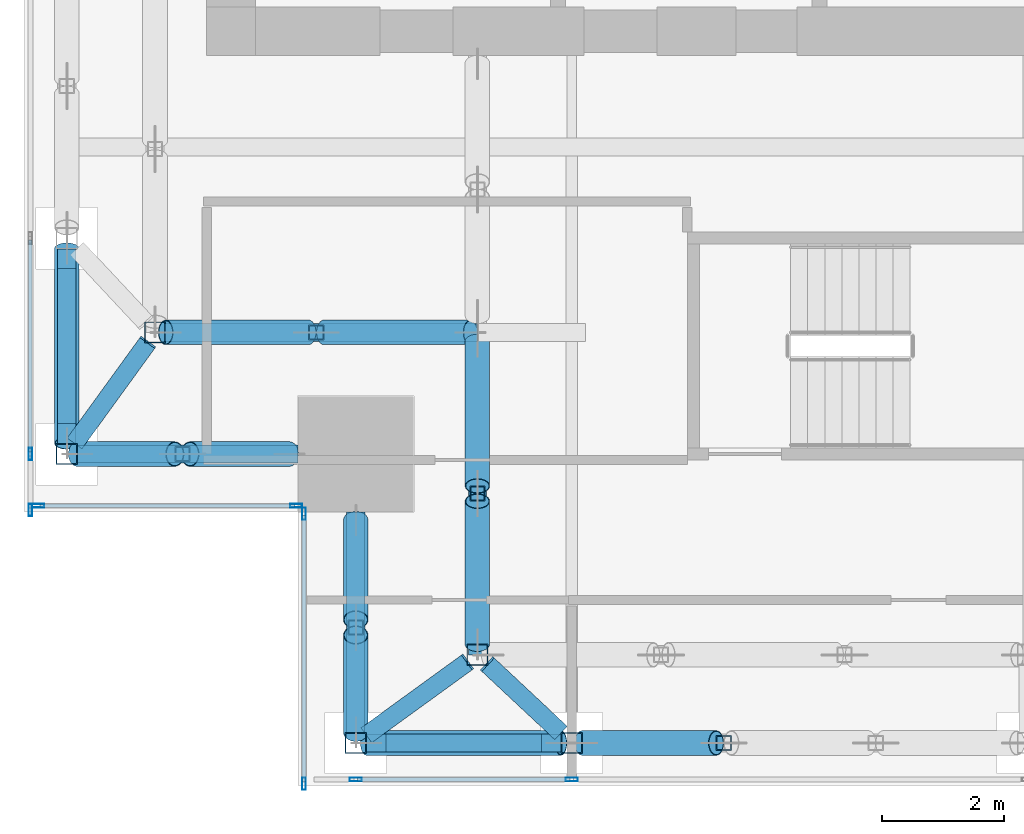
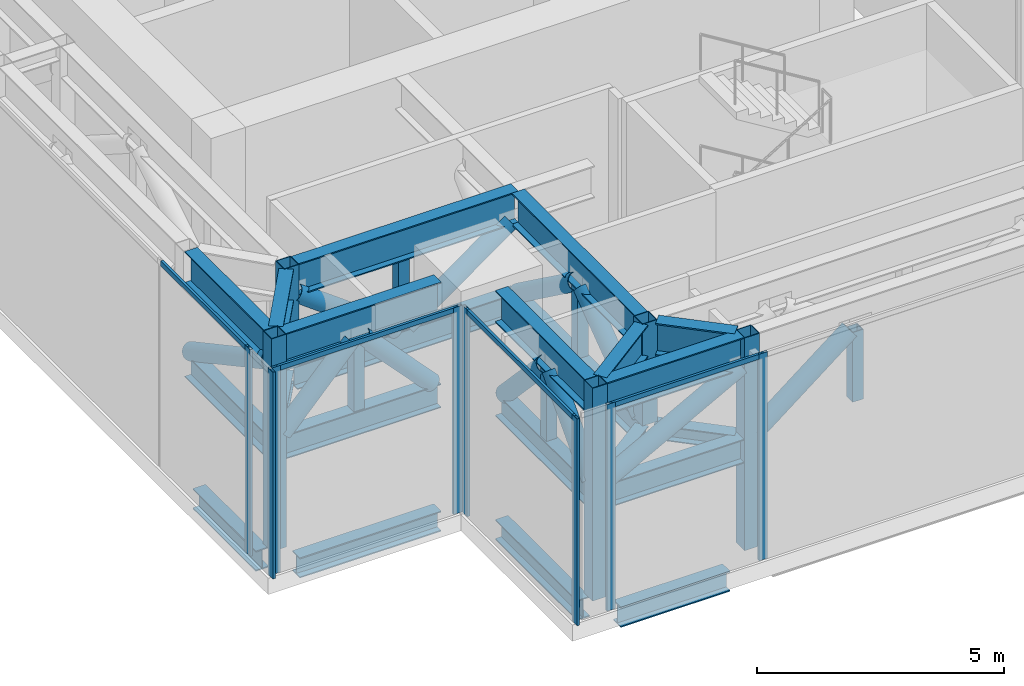
# One storey, part 2 of 36: 45 members, 10 beams, 4 elements without a shape of their own.
"""IFC4 building model written with IfcOpenShell, lengths in metres."""

from ifc_helpers import new_model, si_unit, direction, frame, origin, origin_2d, place, context, subcontext, project, spatial, hollow_rectangle, hollow_circle, i_section, extrude, source, transform, mapped, material, material_profile, profile_set, type_object, element, aggregate, save


model = new_model("IFC4")

# Units and contexts
model_context = context("Model", 3, precision=1e-05, world=origin(), true_north=direction((0.0, 1.0)))
body_context = subcontext(model_context, "Body", "Model", "MODEL_VIEW")
ifc_project = project(units=[si_unit("LENGTHUNIT", "METRE"), si_unit("AREAUNIT", "SQUARE_METRE"), si_unit("VOLUMEUNIT", "CUBIC_METRE"), si_unit("PLANEANGLEUNIT", "RADIAN"), si_unit("MASSUNIT", "GRAM", prefix="KILO")], contexts=[model_context])

# Site, building, storey
site_placement = place(None, origin())
site = spatial("IfcSite", under=ifc_project, at=site_placement, CompositionType="ELEMENT")
building_placement = place(site_placement, origin())
building = spatial("IfcBuilding", under=site, at=building_placement, Name="Khomas Fold Tower", CompositionType="ELEMENT")
storey_placement = place(building_placement, frame((0.0, 0.0, 216.699951171875)))
storey = spatial("IfcBuildingStorey", under=building, at=storey_placement, Name="L48", CompositionType="ELEMENT", Elevation=216.699951171875)

# Beams
ifc_material_1 = material(Name="Steel S355", Category="steel")
ifc_material_profile_1 = material_profile(ifc_material_1, i_section(OverallWidth=0.300048828125, OverallDepth=0.5, WebThickness=0.014404296875, FlangeThickness=0.028076171875, at=origin_2d()), Name="HE 500 B")
ifc_profile_set_1 = profile_set([ifc_material_profile_1], Name="Steel S355")
beam_type_1 = type_object("IfcBeamType", Name="HE 500 B spandrel SB3", PredefinedType="SPANDREL", material=ifc_profile_set_1)
shared_shape_1 = source(origin(), body_context, "Body", "SweptSolid", [
    extrude(i_section(OverallWidth=0.300048828125, OverallDepth=0.5, WebThickness=0.014404296875, FlangeThickness=0.028076171875, at=origin_2d()), origin(), (0.0, 0.0, 1.0), 2.550048828125),
])
for number, where, z_axis, x_axis, name in (
    (1, (8.949951171875, 3.699951171875, -0.64990234375), (1.0, 0.0, 0.0), (0.0, 1.0, 0.0), "SB3"),
    (2, (3.699951171875, 8.949951171875, -0.64990234375), (0.0, 1.0, 0.0), (-1.0, 0.0, 0.0), "SB3"),
):
    element("IfcBeam", number, at=place(storey_placement, frame(where, z_axis=z_axis, x_axis=x_axis)), inside=storey, type_object=beam_type_1, Name=name, PredefinedType="SPANDREL", context=body_context, shape_type="MappedRepresentation", body=[
        mapped(shared_shape_1, transform((0.0, 0.0, 0.0))),
    ])
shared_shape_2 = source(origin(), body_context, "Body", "SweptSolid", [
    extrude(i_section(OverallWidth=0.300048828125, OverallDepth=0.5, WebThickness=0.014404296875, FlangeThickness=0.028076171875, at=origin_2d()), origin(), (0.0, 0.0, 1.0), 3.300048828125),
])
for number, where, z_axis, x_axis, name in (
    (3, (4.199951171875, 8.449951171875, -0.64990234375), (1.0, 0.0, 0.0), (0.0, 1.0, 0.0), "SB3"),
    (4, (8.449951171875, 4.199951171875, -0.64990234375), (0.0, 1.0, 0.0), (-1.0, 0.0, 0.0), "SB3"),
):
    element("IfcBeam", number, at=place(storey_placement, frame(where, z_axis=z_axis, x_axis=x_axis)), inside=storey, type_object=beam_type_1, Name=name, PredefinedType="SPANDREL", context=body_context, shape_type="MappedRepresentation", body=[
        mapped(shared_shape_2, transform((0.0, 0.0, 0.0))),
    ])

# Members
ifc_material_2 = material(Name="Steel S355", Category="steel")
ifc_material_profile_2 = material_profile(ifc_material_2, i_section(OverallWidth=0.300048828125, OverallDepth=0.7900390625, WebThickness=0.014892578125, FlangeThickness=0.028076171875, at=origin_2d()), Name="HE 800 A")
ifc_profile_set_2 = profile_set([ifc_material_profile_2], Name="Steel S355")
member_type_1 = type_object("IfcMemberType", Name="BELT TRUSS 3 TOP CHORD SHORT HE 800 A", PredefinedType="CHORD", material=ifc_profile_set_2)
shared_shape_3 = source(origin(), body_context, "Body", "SweptSolid", [
    extrude(i_section(OverallWidth=0.300048828125, OverallDepth=0.7900390625, WebThickness=0.014892578125, FlangeThickness=0.028076171875, at=origin_2d()), origin(), (0.0, 0.0, 1.0), 3.199951171875),
])
for number, where, z_axis, x_axis, name in (
    (5, (8.625, 3.699951171875, 4.85498046875), (1.0, 0.0, 0.0), (0.0, 1.0, 0.0), "BT3-CTS"),
    (6, (3.699951171875, 11.824951171875, 4.85498046875), (0.0, -1.0, 0.0), (1.0, 0.0, 0.0), "BT3-CTS"),
):
    element("IfcMember", number, at=place(storey_placement, frame(where, z_axis=z_axis, x_axis=x_axis)), inside=storey, type_object=member_type_1, Name=name, PredefinedType="CHORD", context=body_context, shape_type="MappedRepresentation", body=[
        mapped(shared_shape_3, transform((0.0, 0.0, 0.0))),
    ])
ifc_material_3 = material(Name="Steel S355", Category="steel")
ifc_material_profile_3 = material_profile(ifc_material_3, i_section(OverallWidth=0.300048828125, OverallDepth=0.590087890625, WebThickness=0.012939453125, FlangeThickness=0.02490234375, at=origin_2d()), Name="HE 600 A")
ifc_profile_set_3 = profile_set([ifc_material_profile_3], Name="Steel S355")
member_type_2 = type_object("IfcMemberType", Name="BELT TRUSS 3 BOTTOM CHORD SHORT HE 600 A", PredefinedType="CHORD", material=ifc_profile_set_3)
shared_shape_4 = source(origin(), body_context, "Body", "SweptSolid", [
    extrude(i_section(OverallWidth=0.300048828125, OverallDepth=0.590087890625, WebThickness=0.012939453125, FlangeThickness=0.02490234375, at=origin_2d()), origin(), (0.0, 0.0, 1.0), 3.199951171875),
])
for number, where, z_axis, x_axis, name in (
    (7, (8.625, 3.699951171875, 2.445068359375), (1.0, 0.0, 0.0), (0.0, 1.0, 0.0), "BT3-CBS"),
    (8, (3.699951171875, 11.824951171875, 2.445068359375), (0.0, -1.0, 0.0), (1.0, 0.0, 0.0), "BT3-CBS"),
):
    element("IfcMember", number, at=place(storey_placement, frame(where, z_axis=z_axis, x_axis=x_axis)), inside=storey, type_object=member_type_2, Name=name, PredefinedType="CHORD", context=body_context, shape_type="MappedRepresentation", body=[
        mapped(shared_shape_4, transform((0.0, 0.0, 0.0))),
    ])
ifc_material_4 = material(Name="Steel S355", Category="steel")
ifc_material_profile_4 = material_profile(ifc_material_4, hollow_circle(Radius=0.203125, WallThickness=0.012451171875, at=origin_2d()), Name="CHS 406.4x12.5")
ifc_profile_set_4 = profile_set([ifc_material_profile_4], Name="Steel S355")
member_type_3 = type_object("IfcMemberType", Name="BELT TRUSS 3 DIAGONAL LONG CHS 406.4x12.5", PredefinedType="BRACE", material=ifc_profile_set_4)
shared_shape_5 = source(origin(), body_context, "Body", "SweptSolid", [
    extrude(hollow_circle(Radius=0.203125, WallThickness=0.012451171875, at=origin_2d()), origin(), (0.0, 0.0, 1.0), 3.6376953125),
])
for number, where, z_axis, x_axis, name in (
    (9, (8.625, 3.699951171875, 2.735107421875), (0.879674642469, 0.0, 0.475575991191), (0.0, 1.0, 0.0), "BT3-DL"),
    (10, (3.699951171875, 11.824951171875, 2.735107421875), (0.0, -0.879674642469, 0.475575991191), (1.0, 0.0, 0.0), "BT3-DL"),
):
    element("IfcMember", number, at=place(storey_placement, frame(where, z_axis=z_axis, x_axis=x_axis)), inside=storey, type_object=member_type_3, Name=name, PredefinedType="BRACE", context=body_context, shape_type="MappedRepresentation", body=[
        mapped(shared_shape_5, transform((0.0, 0.0, 0.0))),
    ])
ifc_material_5 = material(Name="Steel S355", Category="steel")
ifc_material_profile_5 = material_profile(ifc_material_5, hollow_circle(Radius=0.203125, WallThickness=0.012451171875, at=origin_2d()), Name="CHS 406.4x12.5")
ifc_profile_set_5 = profile_set([ifc_material_profile_5], Name="Steel S355")
member_type_4 = type_object("IfcMemberType", Name="BELT TRUSS 3 DIAGONAL CHS 406.4x12.5", PredefinedType="BRACE", material=ifc_profile_set_5)
shared_shape_6 = source(origin(), body_context, "Body", "SweptSolid", [
    extrude(hollow_circle(Radius=0.203125, WallThickness=0.012451171875, at=origin_2d()), origin(), (0.0, 0.0, 1.0), 2.798583984375),
])
member_1_placement = place(storey_placement, frame((12.175048828125, 3.699951171875, 2.735107421875), z_axis=(0.786067028411, 0.0, 0.618141267709), x_axis=(0.0, 1.0, 0.0)))
element("IfcMember", 11, at=member_1_placement, inside=storey, type_object=member_type_4, Name="BT3-D", PredefinedType="BRACE", context=body_context, shape_type="MappedRepresentation", body=[
    mapped(shared_shape_6, transform((0.0, 0.0, 0.0))),
])
ifc_material_6 = material(Name="Steel S355", Category="steel")
ifc_material_profile_6 = material_profile(ifc_material_6, hollow_rectangle(XDim=0.25, YDim=0.25, WallThickness=0.01611328125, at=origin_2d()), Name="SHS 250x250x16")
ifc_profile_set_6 = profile_set([ifc_material_profile_6], Name="Steel S355")
member_type_5 = type_object("IfcMemberType", Name="BELT TRUSS 3 MID POST SHS 250x250x16", PredefinedType="POST", material=ifc_profile_set_6)
shared_shape_7 = source(origin(), body_context, "Body", "SweptSolid", [
    extrude(hollow_rectangle(XDim=0.25, YDim=0.25, WallThickness=0.01611328125, at=origin_2d()), origin(), (0.0, 0.0, 1.0), 1.719970703125),
])
for number, where, z_axis, x_axis, name in (
    (12, (14.5, 3.699951171875, 2.739990234375), (0.0, 0.0, 1.0), (1.0, 0.0, 0.0), "BT3-M"),
    (13, (5.60009765625, 8.449951171875, 2.739990234375), (0.0, 0.0, 1.0), (1.0, 0.0, 0.0), "BT3-M"),
    (14, (8.449951171875, 5.60009765625, 2.739990234375), (0.0, 0.0, 1.0), (1.0, 0.0, 0.0), "BT3-M"),
    (15, (7.800048828125, 10.449951171875, 2.739990234375), (0.0, 0.0, 1.0), (1.0, 0.0, 0.0), "BT3-M"),
    (16, (10.449951171875, 7.800048828125, 2.739990234375), (0.0, 0.0, 1.0), (1.0, 0.0, 0.0), "BT3-M"),
):
    element("IfcMember", number, at=place(storey_placement, frame(where, z_axis=z_axis, x_axis=x_axis)), inside=storey, type_object=member_type_5, Name=name, PredefinedType="POST", context=body_context, shape_type="MappedRepresentation", body=[
        mapped(shared_shape_7, transform((0.0, 0.0, 0.0))),
    ])
shared_shape_8 = source(origin(), body_context, "Body", "SweptSolid", [
    extrude(i_section(OverallWidth=0.300048828125, OverallDepth=0.7900390625, WebThickness=0.014892578125, FlangeThickness=0.028076171875, at=origin_2d()), origin(), (0.0, 0.0, 1.0), 3.625),
])
for number, where, z_axis, x_axis, name in (
    (17, (3.875, 8.449951171875, 4.85498046875), (1.0, 0.0, 0.0), (0.0, 1.0, 0.0), "BT3-CTS"),
    (18, (8.449951171875, 3.875, 4.85498046875), (0.0, 1.0, 0.0), (-1.0, 0.0, 0.0), "BT3-CTS"),
):
    element("IfcMember", number, at=place(storey_placement, frame(where, z_axis=z_axis, x_axis=x_axis)), inside=storey, type_object=member_type_1, Name=name, PredefinedType="CHORD", context=body_context, shape_type="MappedRepresentation", body=[
        mapped(shared_shape_8, transform((0.0, 0.0, 0.0))),
    ])
shared_shape_9 = source(origin(), body_context, "Body", "SweptSolid", [
    extrude(i_section(OverallWidth=0.300048828125, OverallDepth=0.590087890625, WebThickness=0.012939453125, FlangeThickness=0.02490234375, at=origin_2d()), origin(), (0.0, 0.0, 1.0), 3.625),
])
for number, where, z_axis, x_axis, name in (
    (19, (3.875, 8.449951171875, 2.445068359375), (1.0, 0.0, 0.0), (0.0, 1.0, 0.0), "BT3-CBS"),
    (20, (8.449951171875, 3.875, 2.445068359375), (0.0, 1.0, 0.0), (-1.0, 0.0, 0.0), "BT3-CBS"),
):
    element("IfcMember", number, at=place(storey_placement, frame(where, z_axis=z_axis, x_axis=x_axis)), inside=storey, type_object=member_type_2, Name=name, PredefinedType="CHORD", context=body_context, shape_type="MappedRepresentation", body=[
        mapped(shared_shape_9, transform((0.0, 0.0, 0.0))),
    ])
shared_shape_10 = source(origin(), body_context, "Body", "SweptSolid", [
    extrude(hollow_circle(Radius=0.203125, WallThickness=0.012451171875, at=origin_2d()), origin(), (0.0, 0.0, 1.0), 2.3564453125),
])
for number, where, z_axis, x_axis, name in (
    (21, (3.875, 8.449951171875, 2.735107421875), (0.679011273625, 0.0, 0.734127843288), (0.0, 1.0, 0.0), "BT3-D"),
    (22, (8.449951171875, 3.875, 2.735107421875), (0.0, 0.679011273625, 0.734127843288), (-1.0, 0.0, 0.0), "BT3-D"),
):
    element("IfcMember", number, at=place(storey_placement, frame(where, z_axis=z_axis, x_axis=x_axis)), inside=storey, type_object=member_type_4, Name=name, PredefinedType="BRACE", context=body_context, shape_type="MappedRepresentation", body=[
        mapped(shared_shape_10, transform((0.0, 0.0, 0.0))),
    ])
shared_shape_11 = source(origin(), body_context, "Body", "SweptSolid", [
    extrude(hollow_circle(Radius=0.203125, WallThickness=0.012451171875, at=origin_2d()), origin(), (0.0, 0.0, 1.0), 2.37939453125),
])
for number, where, z_axis, x_axis, name in (
    (23, (5.72509765625, 8.449951171875, 4.465087890625), (0.686551218431, 0.0, -0.727081442804), (0.0, 1.0, 0.0), "BT3-D"),
    (24, (8.449951171875, 5.72509765625, 4.465087890625), (0.0, 0.686551218431, -0.727081442804), (-1.0, 0.0, 0.0), "BT3-D"),
):
    element("IfcMember", number, at=place(storey_placement, frame(where, z_axis=z_axis, x_axis=x_axis)), inside=storey, type_object=member_type_4, Name=name, PredefinedType="BRACE", context=body_context, shape_type="MappedRepresentation", body=[
        mapped(shared_shape_11, transform((0.0, 0.0, 0.0))),
    ])
ifc_material_7 = material(Name="Steel S355", Category="steel")
ifc_material_profile_7 = material_profile(ifc_material_7, i_section(OverallWidth=0.300048828125, OverallDepth=0.7900390625, WebThickness=0.014892578125, FlangeThickness=0.028076171875, at=origin_2d()), Name="HE 800 A")
ifc_profile_set_7 = profile_set([ifc_material_profile_7], Name="Steel S355")
member_type_6 = type_object("IfcMemberType", Name="BELT TRUSS 3 TOP CHORD HE 800 A", PredefinedType="CHORD", material=ifc_profile_set_7)
shared_shape_12 = source(origin(), body_context, "Body", "SweptSolid", [
    extrude(i_section(OverallWidth=0.300048828125, OverallDepth=0.7900390625, WebThickness=0.014892578125, FlangeThickness=0.028076171875, at=origin_2d()), origin(), (0.0, 0.0, 1.0), 5.125),
])
member_2_placement = place(storey_placement, frame((5.324951171875, 10.449951171875, 4.85498046875), z_axis=(1.0, 0.0, 0.0), x_axis=(0.0, 1.0, 0.0)))
element("IfcMember", 25, at=member_2_placement, inside=storey, type_object=member_type_6, Name="BT3-CT", PredefinedType="CHORD", context=body_context, shape_type="MappedRepresentation", body=[
    mapped(shared_shape_12, transform((0.0, 0.0, 0.0))),
])
shared_shape_13 = source(origin(), body_context, "Body", "SweptSolid", [
    extrude(hollow_circle(Radius=0.203125, WallThickness=0.012451171875, at=origin_2d()), origin(), (0.0, 0.0, 1.0), 2.918212890625),
])
for number, where, z_axis, x_axis, name in (
    (26, (5.324951171875, 10.449951171875, 4.465087890625), (0.805329117391, 0.0, -0.592827978998), (0.0, 1.0, 0.0), "BT3-D"),
    (27, (10.449951171875, 5.324951171875, 2.735107421875), (0.0, 0.805329117391, 0.592827978998), (-1.0, 0.0, 0.0), "BT3-D"),
):
    element("IfcMember", number, at=place(storey_placement, frame(where, z_axis=z_axis, x_axis=x_axis)), inside=storey, type_object=member_type_4, Name=name, PredefinedType="BRACE", context=body_context, shape_type="MappedRepresentation", body=[
        mapped(shared_shape_13, transform((0.0, 0.0, 0.0))),
    ])
shared_shape_14 = source(origin(), body_context, "Body", "SweptSolid", [
    extrude(hollow_circle(Radius=0.203125, WallThickness=0.012451171875, at=origin_2d()), origin(), (0.0, 0.0, 1.0), 2.967041015625),
])
member_3_placement = place(storey_placement, frame((7.925048828125, 10.449951171875, 2.735107421875), z_axis=(0.812441658895, 0.0, 0.583042494929), x_axis=(0.0, 1.0, 0.0)))
element("IfcMember", 28, at=member_3_placement, inside=storey, type_object=member_type_4, Name="BT3-D", PredefinedType="BRACE", context=body_context, shape_type="MappedRepresentation", body=[
    mapped(shared_shape_14, transform((0.0, 0.0, 0.0))),
])
shared_shape_15 = source(origin(), body_context, "Body", "SweptSolid", [
    extrude(i_section(OverallWidth=0.300048828125, OverallDepth=0.7900390625, WebThickness=0.014892578125, FlangeThickness=0.028076171875, at=origin_2d()), origin(), (0.0, 0.0, 1.0), 4.97509765625),
])
member_4_placement = place(storey_placement, frame((10.449951171875, 5.324951171875, 4.85498046875), z_axis=(0.0, 1.0, 0.0), x_axis=(-1.0, 0.0, 0.0)))
element("IfcMember", 29, at=member_4_placement, inside=storey, type_object=member_type_6, Name="BT3-CT", PredefinedType="CHORD", context=body_context, shape_type="MappedRepresentation", body=[
    mapped(shared_shape_15, transform((0.0, 0.0, 0.0))),
])
shared_shape_16 = source(origin(), body_context, "Body", "SweptSolid", [
    extrude(hollow_circle(Radius=0.203125, WallThickness=0.012451171875, at=origin_2d()), origin(), (0.0, 0.0, 1.0), 2.938232421875),
])
member_5_placement = place(storey_placement, frame((10.449951171875, 7.925048828125, 4.465087890625), z_axis=(0.0, 0.808297504899, -0.588774272174), x_axis=(-1.0, 0.0, 0.0)))
element("IfcMember", 30, at=member_5_placement, inside=storey, type_object=member_type_4, Name="BT3-D", PredefinedType="BRACE", context=body_context, shape_type="MappedRepresentation", body=[
    mapped(shared_shape_16, transform((0.0, 0.0, 0.0))),
])
ifc_material_8 = material(Name="Steel S355", Category="steel")
ifc_material_profile_8 = material_profile(ifc_material_8, i_section(OverallWidth=0.300048828125, OverallDepth=0.590087890625, WebThickness=0.012939453125, FlangeThickness=0.02490234375, at=origin_2d()), Name="HE 600 A")
ifc_profile_set_8 = profile_set([ifc_material_profile_8], Name="Steel S355")
member_type_7 = type_object("IfcMemberType", Name="BELT TRUSS 3 BOTTOM CHORD HE 600 A", PredefinedType="CHORD", material=ifc_profile_set_8)
shared_shape_17 = source(origin(), body_context, "Body", "SweptSolid", [
    extrude(i_section(OverallWidth=0.300048828125, OverallDepth=0.590087890625, WebThickness=0.012939453125, FlangeThickness=0.02490234375, at=origin_2d()), origin(), (0.0, 0.0, 1.0), 5.14990234375),
])
member_6_placement = place(storey_placement, frame((5.300048828125, 10.449951171875, 2.445068359375), z_axis=(1.0, 0.0, 0.0), x_axis=(0.0, 1.0, 0.0)))
element("IfcMember", 31, at=member_6_placement, inside=storey, type_object=member_type_7, Name="BT3-CB", PredefinedType="CHORD", context=body_context, shape_type="MappedRepresentation", body=[
    mapped(shared_shape_17, transform((0.0, 0.0, 0.0))),
])
shared_shape_18 = source(origin(), body_context, "Body", "SweptSolid", [
    extrude(i_section(OverallWidth=0.300048828125, OverallDepth=0.590087890625, WebThickness=0.012939453125, FlangeThickness=0.02490234375, at=origin_2d()), origin(), (0.0, 0.0, 1.0), 5.150146484375),
])
member_7_placement = place(storey_placement, frame((10.449951171875, 5.14990234375, 2.445068359375), z_axis=(0.0, 1.0, 0.0), x_axis=(-1.0, 0.0, 0.0)))
element("IfcMember", 32, at=member_7_placement, inside=storey, type_object=member_type_7, Name="BT3-CB", PredefinedType="CHORD", context=body_context, shape_type="MappedRepresentation", body=[
    mapped(shared_shape_18, transform((0.0, 0.0, 0.0))),
])
ifc_material_9 = material(Name="Steel S355", Category="steel")
ifc_material_profile_9 = material_profile(ifc_material_9, hollow_rectangle(XDim=0.35009765625, YDim=0.35009765625, WallThickness=0.01611328125, at=origin_2d()), Name="SHS 350x350x16")
ifc_profile_set_9 = profile_set([ifc_material_profile_9], Name="Steel S355")
member_type_8 = type_object("IfcMemberType", Name="BELT TRUSS 3 COLUMN POST SHS 350x350x16", PredefinedType="POST", material=ifc_profile_set_9)
shared_shape_19 = source(origin(), body_context, "Body", "SweptSolid", [
    extrude(hollow_rectangle(XDim=0.35009765625, YDim=0.35009765625, WallThickness=0.01611328125, at=origin_2d()), origin(), (0.0, 0.0, 1.0), 5.25),
])
for number, where, z_axis, x_axis, name in (
    (33, (8.449951171875, 3.699951171875, 0.0), (0.0, 0.0, 1.0), (1.0, 0.0, 0.0), "BT3-P"),
    (34, (12.0, 3.699951171875, 0.0), (0.0, 0.0, 1.0), (1.0, 0.0, 0.0), "BT3-P"),
    (35, (3.699951171875, 8.449951171875, 0.0), (0.0, 0.0, 1.0), (1.0, 0.0, 0.0), "BT3-P"),
):
    element("IfcMember", number, at=place(storey_placement, frame(where, z_axis=z_axis, x_axis=x_axis)), inside=storey, type_object=member_type_8, Name=name, PredefinedType="POST", context=body_context, shape_type="MappedRepresentation", body=[
        mapped(shared_shape_19, transform((0.0, 0.0, 0.0))),
    ])
ifc_material_10 = material(Name="Steel S355", Category="steel")
ifc_material_profile_10 = material_profile(ifc_material_10, hollow_rectangle(XDim=0.35009765625, YDim=0.35009765625, WallThickness=0.01611328125, at=origin_2d()), Name="SHS 350x350x16")
ifc_profile_set_10 = profile_set([ifc_material_profile_10], Name="Steel S355")
member_type_9 = type_object("IfcMemberType", Name="BELT TRUSS 3 COLUMN POST SHORT SHS 350x350x16", PredefinedType="POST", material=ifc_profile_set_10)
shared_shape_20 = source(origin(), body_context, "Body", "SweptSolid", [
    extrude(hollow_rectangle(XDim=0.35009765625, YDim=0.35009765625, WallThickness=0.01611328125, at=origin_2d()), origin(), (0.0, 0.0, 1.0), 2.510009765625),
])
for number, where, z_axis, x_axis, name in (
    (36, (10.449951171875, 5.14990234375, 2.739990234375), (0.0, 0.0, 1.0), (1.0, 0.0, 0.0), "BT3-PS"),
    (37, (5.14990234375, 10.449951171875, 2.739990234375), (0.0, 0.0, 1.0), (1.0, 0.0, 0.0), "BT3-PS"),
):
    element("IfcMember", number, at=place(storey_placement, frame(where, z_axis=z_axis, x_axis=x_axis)), inside=storey, type_object=member_type_9, Name=name, PredefinedType="POST", context=body_context, shape_type="MappedRepresentation", body=[
        mapped(shared_shape_20, transform((0.0, 0.0, 0.0))),
    ])

# Beams
ifc_material_11 = material(Name="Steel S460M", Category="steel")
ifc_material_profile_11 = material_profile(ifc_material_11, i_section(OverallWidth=0.300048828125, OverallDepth=0.800048828125, WebThickness=0.017578125, FlangeThickness=0.032958984375, at=origin_2d()), Name="HE 800 B")
ifc_profile_set_11 = profile_set([ifc_material_profile_11], Name="Steel S460M")
beam_type_2 = type_object("IfcBeamType", Name="BELT TRUSS 3 TOP TRANSFER STRUT HE 800 B", PredefinedType="BEAM", material=ifc_profile_set_11)
shared_shape_21 = source(origin(), body_context, "Body", "SweptSolid", [
    extrude(i_section(OverallWidth=0.300048828125, OverallDepth=0.800048828125, WebThickness=0.017578125, FlangeThickness=0.032958984375, at=origin_2d()), origin(), (0.0, 0.0, 1.0), 1.64306640625),
])
beam_1_placement = place(storey_placement, frame((10.625, 4.986328125, 4.85009765625), z_axis=(0.730264240146, -0.683164796783, 0.0), x_axis=(0.683164796783, 0.730264240146, 0.0)))
element("IfcBeam", 38, at=beam_1_placement, inside=storey, type_object=beam_type_2, Name="BT3-STD", PredefinedType="BEAM", context=body_context, shape_type="MappedRepresentation", body=[
    mapped(shared_shape_21, transform((0.0, 0.0, 0.0))),
])
ifc_material_12 = material(Name="Steel S355", Category="steel")
ifc_material_profile_12 = material_profile(ifc_material_12, i_section(OverallWidth=0.300048828125, OverallDepth=0.360107421875, WebThickness=0.012451171875, FlangeThickness=0.0224609375, at=origin_2d()), Name="HE 360 B")
ifc_profile_set_12 = profile_set([ifc_material_profile_12], Name="Steel S355")
beam_type_3 = type_object("IfcBeamType", Name="BELT TRUSS 3 BOTTOM STRUT HE 360 B", PredefinedType="BEAM", material=ifc_profile_set_12)
shared_shape_22 = source(origin(), body_context, "Body", "SweptSolid", [
    extrude(i_section(OverallWidth=0.300048828125, OverallDepth=0.360107421875, WebThickness=0.012451171875, FlangeThickness=0.0224609375, at=origin_2d()), origin(), (0.0, 0.0, 1.0), 1.677490234375),
])
beam_2_placement = place(storey_placement, frame((10.60009765625, 5.009765625, 2.56005859375), z_axis=(0.730222222008, -0.68320970901, 0.0), x_axis=(0.68320970901, 0.730222222008, 0.0)))
element("IfcBeam", 39, at=beam_2_placement, inside=storey, type_object=beam_type_3, Name="BT3-SB", PredefinedType="BEAM", context=body_context, shape_type="MappedRepresentation", body=[
    mapped(shared_shape_22, transform((0.0, 0.0, 0.0))),
])
shared_shape_23 = source(origin(), body_context, "Body", "SweptSolid", [
    extrude(i_section(OverallWidth=0.300048828125, OverallDepth=0.800048828125, WebThickness=0.017578125, FlangeThickness=0.032958984375, at=origin_2d()), origin(), (0.0, 0.0, 1.0), 2.037841796875),
])
for number, where, z_axis, x_axis, name in (
    (40, (10.27490234375, 5.023193359375, 4.85009765625), (-0.809584824525, -0.58700290621, 0.0), (0.58700290621, -0.809584824525, 0.0), "BT3-STD"),
    (41, (5.023193359375, 10.27490234375, 4.85009765625), (-0.58700290621, -0.809584824525, 0.0), (0.809584824525, -0.58700290621, 0.0), "BT3-STD"),
):
    element("IfcBeam", number, at=place(storey_placement, frame(where, z_axis=z_axis, x_axis=x_axis)), inside=storey, type_object=beam_type_2, Name=name, PredefinedType="BEAM", context=body_context, shape_type="MappedRepresentation", body=[
        mapped(shared_shape_23, transform((0.0, 0.0, 0.0))),
    ])
ifc_material_13 = material(Name="Steel S355", Category="steel")
ifc_material_profile_13 = material_profile(ifc_material_13, i_section(OverallWidth=0.300048828125, OverallDepth=0.360107421875, WebThickness=0.012451171875, FlangeThickness=0.0224609375, at=origin_2d()), Name="HE 360 B")
ifc_profile_set_13 = profile_set([ifc_material_profile_13], Name="Steel S355")
beam_type_4 = type_object("IfcBeamType", Name="BELT TRUSS 3 BOTTOM STRUT LONG HE 360 B", PredefinedType="BEAM", material=ifc_profile_set_13)
shared_shape_24 = source(origin(), body_context, "Body", "SweptSolid", [
    extrude(i_section(OverallWidth=0.300048828125, OverallDepth=0.360107421875, WebThickness=0.012451171875, FlangeThickness=0.0224609375, at=origin_2d()), origin(), (0.0, 0.0, 1.0), 2.06884765625),
])
for number, where, z_axis, x_axis, name in (
    (42, (10.300048828125, 5.041259765625, 2.56005859375), (-0.809623060558, -0.586950168083, 0.0), (0.586950168083, -0.809623060558, 0.0), "BT3-SBL"),
    (43, (5.041259765625, 10.300048828125, 2.56005859375), (-0.586950168083, -0.809623060558, 0.0), (0.809623060558, -0.586950168083, 0.0), "BT3-SBL"),
):
    element("IfcBeam", number, at=place(storey_placement, frame(where, z_axis=z_axis, x_axis=x_axis)), inside=storey, type_object=beam_type_4, Name=name, PredefinedType="BEAM", context=body_context, shape_type="MappedRepresentation", body=[
        mapped(shared_shape_24, transform((0.0, 0.0, 0.0))),
    ])

# Curtain wall, members
ifc_material_14 = material(Name="Aluminium framed double glazing", Category="aluminium")
curtain_wall_type = type_object("IfcCurtainWallType", Name="SK-Plant louvre wall CW4", PredefinedType="NOTDEFINED", material=ifc_material_14)
curtain_wall_1_placement = place(storey_placement, origin())
curtain_wall_1 = element("IfcCurtainWall", 44, at=curtain_wall_1_placement, inside=storey, type_object=curtain_wall_type, Name="CW4 run L48 00-0", PredefinedType="NOTDEFINED")
ifc_material_15 = material(Name="Aluminium", Category="aluminium")
ifc_material_profile_14 = material_profile(ifc_material_15, hollow_rectangle(XDim=0.06005859375, YDim=0.199951171875, WallThickness=0.00390625, at=origin_2d()), Name="SK-Plant louvre wall mullion CW4-M")
ifc_profile_set_14 = profile_set([ifc_material_profile_14], Name="Aluminium")
member_type_10 = type_object("IfcMemberType", Name="SK-Plant louvre wall mullion CW4-M", PredefinedType="MULLION", material=ifc_profile_set_14)
shared_shape_25 = source(origin(), body_context, "Body", "SweptSolid", [
    extrude(hollow_rectangle(XDim=0.06005859375, YDim=0.199951171875, WallThickness=0.00390625, at=origin_2d()), origin(), (0.0, 0.0, 1.0), 5.10009765625),
])
member_8_placement = place(storey_placement, frame((8.449951171875, 3.10009765625, 0.0), z_axis=(0.0, 0.0, 1.0), x_axis=(0.0, 1.0, 0.0)))
member_8 = element("IfcMember", 45, at=member_8_placement, type_object=member_type_10, Name="CW4 mullion 2", PredefinedType="MULLION", context=body_context, shape_type="MappedRepresentation", body=[
    mapped(shared_shape_25, transform((0.0, 0.0, 0.0))),
])
member_9_placement = place(storey_placement, frame((12.0, 3.10009765625, 0.0), z_axis=(0.0, 0.0, 1.0), x_axis=(0.0, 1.0, 0.0)))
member_9 = element("IfcMember", 46, at=member_9_placement, type_object=member_type_10, Name="CW4 mullion 3", PredefinedType="MULLION", context=body_context, shape_type="MappedRepresentation", body=[
    mapped(shared_shape_25, transform((0.0, 0.0, 0.0))),
])

curtain_wall_2_placement = place(storey_placement, origin())
curtain_wall_2 = element("IfcCurtainWall", 47, at=curtain_wall_2_placement, inside=storey, type_object=curtain_wall_type, Name="CW4 run L48 09-0", PredefinedType="NOTDEFINED")
member_10_placement = place(storey_placement, frame((3.10009765625, 8.449951171875, 0.0), z_axis=(0.0, 0.0, 1.0), x_axis=(1.0, 0.0, 0.0)))
member_10 = element("IfcMember", 48, at=member_10_placement, type_object=member_type_10, Name="CW4 mullion 8", PredefinedType="MULLION", context=body_context, shape_type="MappedRepresentation", body=[
    mapped(shared_shape_25, transform((0.0, 0.0, 0.0))),
])
member_11_placement = place(storey_placement, frame((3.10009765625, 7.530029296875, 0.0), z_axis=(0.0, 0.0, 1.0), x_axis=(1.0, 0.0, 0.0)))
member_11 = element("IfcMember", 49, at=member_11_placement, type_object=member_type_10, Name="CW4 mullion 9", PredefinedType="MULLION", context=body_context, shape_type="MappedRepresentation", body=[
    mapped(shared_shape_25, transform((0.0, 0.0, 0.0))),
])

curtain_wall_3_placement = place(storey_placement, origin())
curtain_wall_3 = element("IfcCurtainWall", 50, at=curtain_wall_3_placement, inside=storey, type_object=curtain_wall_type, Name="CW4 corner return L48 10", PredefinedType="NOTDEFINED")
member_12_placement = place(storey_placement, frame((3.22998046875, 7.60009765625, 0.0), z_axis=(0.0, 0.0, 1.0), x_axis=(0.0, 1.0, 0.0)))
member_12 = element("IfcMember", 51, at=member_12_placement, type_object=member_type_10, Name="CW4 mullion 1", PredefinedType="MULLION", context=body_context, shape_type="MappedRepresentation", body=[
    mapped(shared_shape_25, transform((0.0, 0.0, 0.0))),
])
member_13_placement = place(storey_placement, frame((7.469970703125, 7.60009765625, 0.0), z_axis=(0.0, 0.0, 1.0), x_axis=(0.0, 1.0, 0.0)))
member_13 = element("IfcMember", 52, at=member_13_placement, type_object=member_type_10, Name="CW4 mullion 2", PredefinedType="MULLION", context=body_context, shape_type="MappedRepresentation", body=[
    mapped(shared_shape_25, transform((0.0, 0.0, 0.0))),
])

curtain_wall_4_placement = place(storey_placement, origin())
curtain_wall_4 = element("IfcCurtainWall", 53, at=curtain_wall_4_placement, inside=storey, type_object=curtain_wall_type, Name="CW4 corner return L48 11", PredefinedType="NOTDEFINED")
member_14_placement = place(storey_placement, frame((7.60009765625, 7.469970703125, 0.0), z_axis=(0.0, 0.0, 1.0), x_axis=(1.0, 0.0, 0.0)))
member_14 = element("IfcMember", 54, at=member_14_placement, type_object=member_type_10, Name="CW4 mullion 1", PredefinedType="MULLION", context=body_context, shape_type="MappedRepresentation", body=[
    mapped(shared_shape_25, transform((0.0, 0.0, 0.0))),
])
member_15_placement = place(storey_placement, frame((7.60009765625, 3.030029296875, 0.0), z_axis=(0.0, 0.0, 1.0), x_axis=(1.0, 0.0, 0.0)))
member_15 = element("IfcMember", 55, at=member_15_placement, type_object=member_type_10, Name="CW4 mullion 2", PredefinedType="MULLION", context=body_context, shape_type="MappedRepresentation", body=[
    mapped(shared_shape_25, transform((0.0, 0.0, 0.0))),
])

# Member
ifc_material_16 = material(Name="Aluminium", Category="aluminium")
ifc_material_profile_15 = material_profile(ifc_material_16, hollow_rectangle(XDim=0.06005859375, YDim=0.1201171875, WallThickness=0.00390625, at=origin_2d()), Name="SK-Plant louvre wall transom CW4-T")
ifc_profile_set_15 = profile_set([ifc_material_profile_15], Name="Aluminium")
member_type_11 = type_object("IfcMemberType", Name="SK-Plant louvre wall transom CW4-T", PredefinedType="USERDEFINED", material=ifc_profile_set_15)
shared_shape_26 = source(origin(), body_context, "Body", "SweptSolid", [
    extrude(hollow_rectangle(XDim=0.06005859375, YDim=0.1201171875, WallThickness=0.00390625, at=origin_2d()), origin(), (0.0, 0.0, 1.0), 3.489990234375),
])
member_16_placement = place(storey_placement, frame((8.47998046875, 3.10009765625, 5.0400390625), z_axis=(1.0, 0.0, 0.0), x_axis=(0.0, 1.0, 0.0)))
member_16 = element("IfcMember", 56, at=member_16_placement, type_object=member_type_11, Name="CW4 transom 2", ObjectType="TRANSOM", PredefinedType="USERDEFINED", context=body_context, shape_type="MappedRepresentation", body=[
    mapped(shared_shape_26, transform((0.0, 0.0, 0.0))),
])

aggregate(curtain_wall_1, [member_8, member_9, member_16])

member_17_placement = place(storey_placement, frame((3.10009765625, 11.969970703125, 5.0400390625), z_axis=(0.0, -1.0, 0.0), x_axis=(1.0, 0.0, 0.0)))
member_17 = element("IfcMember", 57, at=member_17_placement, type_object=member_type_11, Name="CW4 transom 7", ObjectType="TRANSOM", PredefinedType="USERDEFINED", context=body_context, shape_type="MappedRepresentation", body=[
    mapped(shared_shape_26, transform((0.0, 0.0, 0.0))),
])

aggregate(curtain_wall_2, [member_10, member_11, member_17])

shared_shape_27 = source(origin(), body_context, "Body", "SweptSolid", [
    extrude(hollow_rectangle(XDim=0.06005859375, YDim=0.1201171875, WallThickness=0.00390625, at=origin_2d()), origin(), (0.0, 0.0, 1.0), 4.179931640625),
])
member_18_placement = place(storey_placement, frame((3.260009765625, 7.60009765625, 5.0400390625), z_axis=(1.0, 0.0, 0.0), x_axis=(0.0, 1.0, 0.0)))
member_18 = element("IfcMember", 58, at=member_18_placement, type_object=member_type_11, Name="CW4 transom 1", ObjectType="TRANSOM", PredefinedType="USERDEFINED", context=body_context, shape_type="MappedRepresentation", body=[
    mapped(shared_shape_27, transform((0.0, 0.0, 0.0))),
])

aggregate(curtain_wall_3, [member_12, member_13, member_18])

shared_shape_28 = source(origin(), body_context, "Body", "SweptSolid", [
    extrude(hollow_rectangle(XDim=0.06005859375, YDim=0.1201171875, WallThickness=0.00390625, at=origin_2d()), origin(), (0.0, 0.0, 1.0), 4.3798828125),
])
member_19_placement = place(storey_placement, frame((7.60009765625, 7.43994140625, 5.0400390625), z_axis=(0.0, -1.0, 0.0), x_axis=(1.0, 0.0, 0.0)))
member_19 = element("IfcMember", 59, at=member_19_placement, type_object=member_type_11, Name="CW4 transom 1", ObjectType="TRANSOM", PredefinedType="USERDEFINED", context=body_context, shape_type="MappedRepresentation", body=[
    mapped(shared_shape_28, transform((0.0, 0.0, 0.0))),
])

aggregate(curtain_wall_4, [member_14, member_15, member_19])

save(model, "model.ifc")
